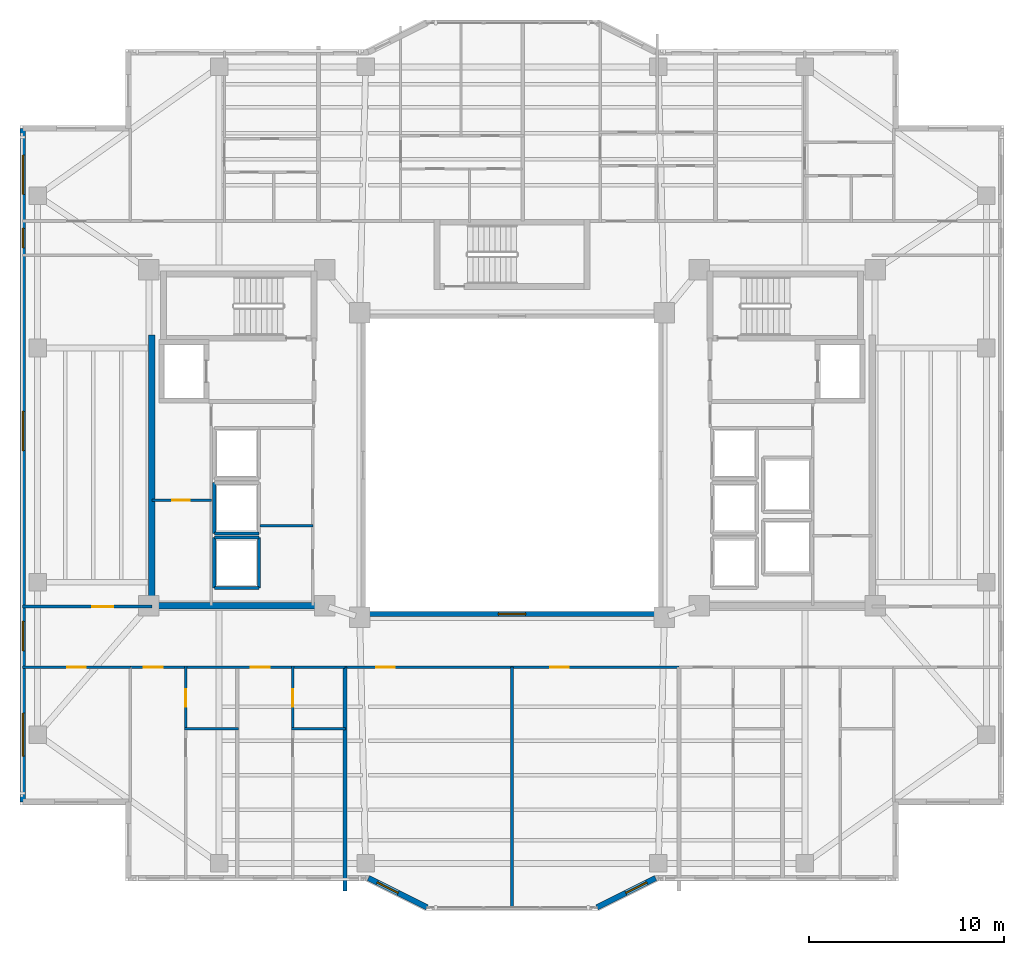
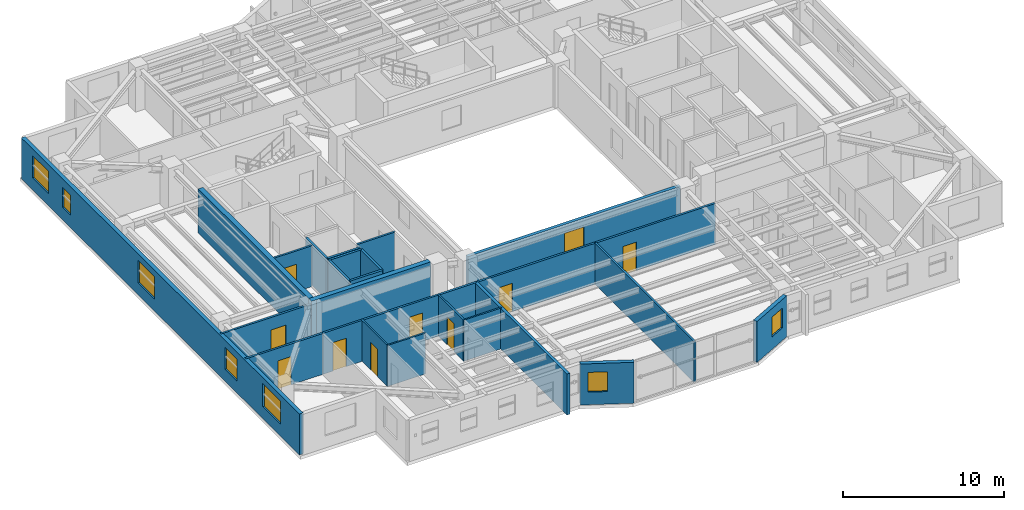
# One storey, part 6 of 16: 24 walls, 9 doors, 8 windows, 17 openings.
"""IFC4 building model written with IfcOpenShell, lengths in metres."""

from ifc_helpers import new_model, si_unit, direction, frame, frame_2d, origin, place, context, subcontext, project, spatial, rectangle, extrude, material, layer, layer_set, type_object, element, fill, save


model = new_model("IFC4")

# Units and contexts
model_context = context("Model", 3, precision=1e-05, world=origin(), true_north=direction((0.0, 1.0)))
body_context = subcontext(model_context, "Body", "Model", "MODEL_VIEW")
ifc_project = project(units=[si_unit("LENGTHUNIT", "METRE"), si_unit("AREAUNIT", "SQUARE_METRE"), si_unit("VOLUMEUNIT", "CUBIC_METRE"), si_unit("PLANEANGLEUNIT", "RADIAN"), si_unit("MASSUNIT", "GRAM", prefix="KILO")], contexts=[model_context])

# Site, building, storey
site_placement = place(None, origin())
site = spatial("IfcSite", under=ifc_project, at=site_placement, CompositionType="ELEMENT")
building_placement = place(site_placement, origin())
building = spatial("IfcBuilding", under=site, at=building_placement, Name="Tarnavaz Court Tower", CompositionType="ELEMENT")
storey_placement = place(building_placement, frame((0.0, 0.0, 156.050048828125)))
storey = spatial("IfcBuildingStorey", under=building, at=storey_placement, Name="L42", CompositionType="ELEMENT", Elevation=156.050048828125)

# Walls
ifc_material_1 = material(Name="Concrete C50/60", Category="concrete")
ifc_layer_1 = layer(ifc_material_1, 0.35009765625)
ifc_layer_set_1 = layer_set([ifc_layer_1], Name="Concrete C50/60")
wall_type_1 = type_object("IfcWallType", Name="WL-CORE-350-C50", PredefinedType="SHEAR", material=ifc_layer_set_1)
wall_1_placement = place(storey_placement, frame((-18.449951171875, -7.375, 0.0), z_axis=(0.0, 0.0, 1.0), x_axis=(0.0, 1.0, 0.0)))
element("IfcWall", 1, at=wall_1_placement, inside=storey, type_object=wall_type_1, Name="L42 West Core Shear Wall 057", PredefinedType="SHEAR", context=body_context, shape_type="SweptSolid", body=[
    extrude(rectangle(XDim=14.050048828125, YDim=0.35009765625, at=frame_2d((7.02490234375, 0.0))), origin(), (0.0, 0.0, 1.0), 3.349853515625),
])
wall_2_placement = place(storey_placement, frame((-18.625, -7.199951171875, 0.0), z_axis=(0.0, 0.0, 1.0), x_axis=(1.0, 0.0, 0.0)))
element("IfcWall", 2, at=wall_2_placement, inside=storey, type_object=wall_type_1, Name="L42 West Core South Shear Wall 058", PredefinedType="SHEAR", context=body_context, shape_type="SweptSolid", body=[
    extrude(rectangle(XDim=8.550048828125, YDim=0.35009765625, at=frame_2d((4.27490234375, 0.0))), origin(), (0.0, 0.0, 1.0), 3.349853515625),
])

# Wall, openings, windows
ifc_material_2 = material(Name="Precast Concrete C40/50", Category="concrete")
ifc_layer_2 = layer(ifc_material_2, 0.280029296875)
ifc_layer_set_2 = layer_set([ifc_layer_2], Name="Precast Concrete C40/50")
wall_type_2 = type_object("IfcWallType", Name="WL-EXT-280", PredefinedType="SOLIDWALL", material=ifc_layer_set_2)
wall_3_placement = place(storey_placement, frame((-25.050048828125, -17.25, 0.0), z_axis=(0.0, 0.0, 1.0), x_axis=(0.0, 1.0, 0.0)))
wall_3 = element("IfcWall", 3, at=wall_3_placement, inside=storey, type_object=wall_type_2, Name="L42 Exterior Terracotta Facade Wall 02", PredefinedType="SOLIDWALL", context=body_context, shape_type="SweptSolid", body=[
    extrude(rectangle(XDim=34.5, YDim=0.280029296875, at=frame_2d((17.25, 0.0))), origin(), (0.0, 0.0, 1.0), 3.099853515625),
])
opening_1_placement = place(wall_3_placement, frame((2.35009765625, 0.0, 0.89990234375)))
opening_1 = element("IfcOpeningElement", 4, at=opening_1_placement, cuts=wall_3, Name="Opening W07", PredefinedType="OPENING", context=body_context, shape_type="SweptSolid", body=[
    extrude(rectangle(XDim=2.199951171875, YDim=1.75, at=frame_2d((1.10009765625, 0.875))), frame((0.0, 0.14990234375, 0.0), z_axis=(0.0, -1.0, 0.0), x_axis=(1.0, 0.0, 0.0)), (0.0, 0.0, 1.0), 0.300048828125),
])
opening_2_placement = place(wall_3_placement, frame((7.742431640625, 0.0, 0.89990234375)))
opening_2 = element("IfcOpeningElement", 5, at=opening_2_placement, cuts=wall_3, Name="Opening W03", PredefinedType="OPENING", context=body_context, shape_type="SweptSolid", body=[
    extrude(rectangle(XDim=1.5, YDim=1.64990234375, at=frame_2d((0.75, 0.824951171875))), frame((0.0, 0.14990234375, 0.0), z_axis=(0.0, -1.0, 0.0), x_axis=(1.0, 0.0, 0.0)), (0.0, 0.0, 1.0), 0.300048828125),
])
opening_3_placement = place(wall_3_placement, frame((18.0, 0.0, 0.89990234375)))
opening_3 = element("IfcOpeningElement", 6, at=opening_3_placement, cuts=wall_3, Name="Opening W08", PredefinedType="OPENING", context=body_context, shape_type="SweptSolid", body=[
    extrude(rectangle(XDim=2.0, YDim=1.699951171875, at=frame_2d((1.0, 0.85009765625))), frame((0.0, 0.14990234375, 0.0), z_axis=(0.0, -1.0, 0.0), x_axis=(1.0, 0.0, 0.0)), (0.0, 0.0, 1.0), 0.300048828125),
])
opening_4_placement = place(wall_3_placement, frame((28.375, 0.0, 0.949951171875)))
opening_4 = element("IfcOpeningElement", 7, at=opening_4_placement, cuts=wall_3, Name="Opening W14", PredefinedType="OPENING", context=body_context, shape_type="SweptSolid", body=[
    extrude(rectangle(XDim=1.0, YDim=1.5, at=frame_2d((0.5, 0.75))), frame((0.0, 0.14990234375, 0.0), z_axis=(0.0, -1.0, 0.0), x_axis=(1.0, 0.0, 0.0)), (0.0, 0.0, 1.0), 0.300048828125),
])
opening_5_placement = place(wall_3_placement, frame((31.125, 0.0, 0.89990234375)))
opening_5 = element("IfcOpeningElement", 8, at=opening_5_placement, cuts=wall_3, Name="Opening W08", PredefinedType="OPENING", context=body_context, shape_type="SweptSolid", body=[
    extrude(rectangle(XDim=2.0, YDim=1.699951171875, at=frame_2d((1.0, 0.85009765625))), frame((0.0, 0.14990234375, 0.0), z_axis=(0.0, -1.0, 0.0), x_axis=(1.0, 0.0, 0.0)), (0.0, 0.0, 1.0), 0.300048828125),
])
ifc_material_3 = material(Name="Double-Glazed Solar Low-E Glass", Category="glass")
window_type_1 = type_object("IfcWindowType", Name="WN-APT-1000", PartitioningType="SINGLE_PANEL", PredefinedType="WINDOW", material=ifc_material_3)
window_1_placement = place(opening_4_placement, origin())
window_1 = element("IfcWindow", 9, at=window_1_placement, inside=storey, type_object=window_type_1, Name="L42 North-West Corner Corridor Window", OverallHeight=1.5, OverallWidth=1.0, PartitioningType="SINGLE_PANEL", PredefinedType="WINDOW", context=body_context, shape_type="SweptSolid", body=[
    extrude(rectangle(XDim=1.0, YDim=1.5, at=frame_2d((0.5, 0.75))), frame((0.0, 0.030029296875, 0.0), z_axis=(0.0, -1.0, 0.0), x_axis=(1.0, 0.0, 0.0)), (0.0, 0.0, 1.0), 0.06005859375),
])
fill(opening_4, window_1)
window_type_2 = type_object("IfcWindowType", Name="WN-APT-1500", PartitioningType="DOUBLE_PANEL_VERTICAL", PredefinedType="WINDOW", material=ifc_material_3)
window_2_placement = place(opening_2_placement, origin())
window_2 = element("IfcWindow", 10, at=window_2_placement, inside=storey, type_object=window_type_2, Name="L42 South-West Corner Corridor Window", OverallHeight=1.64990234375, OverallWidth=1.5, PartitioningType="SINGLE_PANEL", PredefinedType="WINDOW", context=body_context, shape_type="SweptSolid", body=[
    extrude(rectangle(XDim=1.5, YDim=1.64990234375, at=frame_2d((0.75, 0.824951171875))), frame((0.0, 0.030029296875, 0.0), z_axis=(0.0, -1.0, 0.0), x_axis=(1.0, 0.0, 0.0)), (0.0, 0.0, 1.0), 0.06005859375),
])
fill(opening_2, window_2)
window_type_3 = type_object("IfcWindowType", Name="WN-APT-2000", PartitioningType="DOUBLE_PANEL_VERTICAL", PredefinedType="WINDOW", material=ifc_material_3)
window_3_placement = place(opening_3_placement, origin())
window_3 = element("IfcWindow", 11, at=window_3_placement, inside=storey, type_object=window_type_3, Name="L42 West Wing Panoramic Study Gallery Window", OverallHeight=1.699951171875, OverallWidth=2.0, PartitioningType="SINGLE_PANEL", PredefinedType="WINDOW", context=body_context, shape_type="SweptSolid", body=[
    extrude(rectangle(XDim=2.0, YDim=1.699951171875, at=frame_2d((1.0, 0.85009765625))), frame((0.0, 0.030029296875, 0.0), z_axis=(0.0, -1.0, 0.0), x_axis=(1.0, 0.0, 0.0)), (0.0, 0.0, 1.0), 0.06005859375),
])
fill(opening_3, window_3)
window_4_placement = place(opening_5_placement, origin())
window_4 = element("IfcWindow", 12, at=window_4_placement, inside=storey, type_object=window_type_3, Name="L42 North-West Corner Sunroom Study Window", OverallHeight=1.699951171875, OverallWidth=2.0, PartitioningType="SINGLE_PANEL", PredefinedType="WINDOW", context=body_context, shape_type="SweptSolid", body=[
    extrude(rectangle(XDim=2.0, YDim=1.699951171875, at=frame_2d((1.0, 0.85009765625))), frame((0.0, 0.030029296875, 0.0), z_axis=(0.0, -1.0, 0.0), x_axis=(1.0, 0.0, 0.0)), (0.0, 0.0, 1.0), 0.06005859375),
])
fill(opening_5, window_4)
window_type_4 = type_object("IfcWindowType", Name="WN-APT-2200", PartitioningType="TRIPLE_PANEL_VERTICAL", PredefinedType="WINDOW", material=ifc_material_3)
window_5_placement = place(opening_1_placement, origin())
window_5 = element("IfcWindow", 13, at=window_5_placement, inside=storey, type_object=window_type_4, Name="L42 South-West Corner Reading Room Window", OverallHeight=1.75, OverallWidth=2.199951171875, PartitioningType="SINGLE_PANEL", PredefinedType="WINDOW", context=body_context, shape_type="SweptSolid", body=[
    extrude(rectangle(XDim=2.199951171875, YDim=1.75, at=frame_2d((1.10009765625, 0.875))), frame((0.0, 0.030029296875, 0.0), z_axis=(0.0, -1.0, 0.0), x_axis=(1.0, 0.0, 0.0)), (0.0, 0.0, 1.0), 0.06005859375),
])
fill(opening_1, window_5)

# Wall, opening, window
wall_4_placement = place(storey_placement, frame((7.35009765625, -21.14990234375, 0.0), z_axis=(0.0, 0.0, 1.0), x_axis=(-0.894427191, -0.4472135955, 0.0)))
wall_4 = element("IfcWall", 14, at=wall_4_placement, inside=storey, type_object=wall_type_2, Name="L42 Exterior Terracotta Facade Wall 16", PredefinedType="SOLIDWALL", context=body_context, shape_type="SweptSolid", body=[
    extrude(rectangle(XDim=3.35400390625, YDim=0.280029296875, at=frame_2d((1.677001953125, 0.0))), origin(), (0.0, 0.0, 1.0), 3.099853515625),
])
opening_6_placement = place(wall_4_placement, frame((0.501220703125, 0.0, 0.949951171875)))
opening_6 = element("IfcOpeningElement", 15, at=opening_6_placement, cuts=wall_4, Name="Opening W05", PredefinedType="OPENING", context=body_context, shape_type="SweptSolid", body=[
    extrude(rectangle(XDim=1.199951171875, YDim=1.5, at=frame_2d((0.60009765625, 0.75))), frame((0.0, 0.14990234375, 0.0), z_axis=(0.0, -1.0, 0.0), x_axis=(1.0, 0.0, 0.0)), (0.0, 0.0, 1.0), 0.300048828125),
])
window_type_5 = type_object("IfcWindowType", Name="WN-APT-1200", PartitioningType="SINGLE_PANEL", PredefinedType="WINDOW", material=ifc_material_3)
window_6_placement = place(opening_6_placement, origin())
window_6 = element("IfcWindow", 16, at=window_6_placement, inside=storey, type_object=window_type_5, Name="L42 South Courtyard Reading Room Window", OverallHeight=1.5, OverallWidth=1.199951171875, PartitioningType="SINGLE_PANEL", PredefinedType="WINDOW", context=body_context, shape_type="SweptSolid", body=[
    extrude(rectangle(XDim=1.199951171875, YDim=1.5, at=frame_2d((0.60009765625, 0.75))), frame((0.0, 0.030029296875, 0.0), z_axis=(0.0, -1.0, 0.0), x_axis=(1.0, 0.0, 0.0)), (0.0, 0.0, 1.0), 0.06005859375),
])
fill(opening_6, window_6)

wall_5_placement = place(storey_placement, frame((-4.35009765625, -22.64990234375, 0.0), z_axis=(0.0, 0.0, 1.0), x_axis=(-0.894427191, 0.4472135955, 0.0)))
wall_5 = element("IfcWall", 17, at=wall_5_placement, inside=storey, type_object=wall_type_2, Name="L42 Exterior Terracotta Facade Wall 18", PredefinedType="SOLIDWALL", context=body_context, shape_type="SweptSolid", body=[
    extrude(rectangle(XDim=3.35400390625, YDim=0.280029296875, at=frame_2d((1.677001953125, 0.0))), origin(), (0.0, 0.0, 1.0), 3.099853515625),
])
opening_7_placement = place(wall_5_placement, frame((1.65283203125, 0.0, 0.949951171875)))
opening_7 = element("IfcOpeningElement", 18, at=opening_7_placement, cuts=wall_5, Name="Opening W05", PredefinedType="OPENING", context=body_context, shape_type="SweptSolid", body=[
    extrude(rectangle(XDim=1.199951171875, YDim=1.5, at=frame_2d((0.60009765625, 0.75))), frame((0.0, 0.14990234375, 0.0), z_axis=(0.0, -1.0, 0.0), x_axis=(1.0, 0.0, 0.0)), (0.0, 0.0, 1.0), 0.300048828125),
])
window_7_placement = place(opening_7_placement, origin())
window_7 = element("IfcWindow", 19, at=window_7_placement, inside=storey, type_object=window_type_5, Name="L42 South Courtyard Majlis Lounge Window", OverallHeight=1.5, OverallWidth=1.199951171875, PartitioningType="SINGLE_PANEL", PredefinedType="WINDOW", context=body_context, shape_type="SweptSolid", body=[
    extrude(rectangle(XDim=1.199951171875, YDim=1.5, at=frame_2d((0.60009765625, 0.75))), frame((0.0, 0.030029296875, 0.0), z_axis=(0.0, -1.0, 0.0), x_axis=(1.0, 0.0, 0.0)), (0.0, 0.0, 1.0), 0.06005859375),
])
fill(opening_7, window_7)

# Wall, openings, doors
ifc_material_4 = material(Name="Gypsum Fire-Board on Acoustic Metal Stud", Category="masonry")
ifc_layer_3 = layer(ifc_material_4, 0.14990234375)
ifc_layer_set_3 = layer_set([ifc_layer_3], Name="Gypsum Fire-Board on Acoustic Metal Stud")
wall_type_3 = type_object("IfcWallType", Name="WL-FIRE-150", PredefinedType="PARTITIONING", material=ifc_layer_set_3)
wall_6_placement = place(storey_placement, frame((-19.550048828125, -10.35009765625, 0.0), z_axis=(0.0, 0.0, 1.0), x_axis=(1.0, 0.0, 0.0)))
wall_6 = element("IfcWall", 20, at=wall_6_placement, inside=storey, type_object=wall_type_3, Name="L42 SW Horseshoe Wall 073", PredefinedType="PARTITIONING", context=body_context, shape_type="SweptSolid", body=[
    extrude(rectangle(XDim=11.0, YDim=0.14990234375, at=frame_2d((5.5, 0.0))), origin(), (0.0, 0.0, 1.0), 3.099853515625),
])
opening_8_placement = place(wall_6_placement, frame((0.699951171875, 0.0, 0.0)))
opening_8 = element("IfcOpeningElement", 21, at=opening_8_placement, cuts=wall_6, Name="Opening D06", PredefinedType="OPENING", context=body_context, shape_type="SweptSolid", body=[
    extrude(rectangle(XDim=0.9599609375, YDim=2.14990234375, at=frame_2d((0.47998046875, 1.074951171875))), frame((0.0, 0.0849609375, 0.0), z_axis=(0.0, -1.0, 0.0), x_axis=(1.0, 0.0, 0.0)), (0.0, 0.0, 1.0), 0.169921875),
])
opening_9_placement = place(wall_6_placement, frame((6.175048828125, 0.0, 0.0)))
opening_9 = element("IfcOpeningElement", 22, at=opening_9_placement, cuts=wall_6, Name="Opening D06", PredefinedType="OPENING", context=body_context, shape_type="SweptSolid", body=[
    extrude(rectangle(XDim=0.9599609375, YDim=2.14990234375, at=frame_2d((0.47998046875, 1.074951171875))), frame((0.0, 0.0849609375, 0.0), z_axis=(0.0, -1.0, 0.0), x_axis=(1.0, 0.0, 0.0)), (0.0, 0.0, 1.0), 0.169921875),
])
ifc_material_5 = material(Name="Fire-Rated Hardwood Timber Core", Category="wood")
door_type_1 = type_object("IfcDoorType", Name="DR-FD60-950", OperationType="NOTDEFINED", PredefinedType="DOOR", material=ifc_material_5)
door_1_placement = place(opening_8_placement, origin())
door_1 = element("IfcDoor", 23, at=door_1_placement, inside=storey, type_object=door_type_1, Name="L42 Flat 05 Entrance Door", OperationType="SINGLE_SWING_LEFT", OverallHeight=2.14990234375, OverallWidth=0.9599609375, PredefinedType="DOOR", context=body_context, shape_type="SweptSolid", body=[
    extrude(rectangle(XDim=0.9599609375, YDim=2.14990234375, at=frame_2d((0.47998046875, 1.074951171875))), frame((0.0, 0.02490234375, 0.0), z_axis=(0.0, -1.0, 0.0), x_axis=(1.0, 0.0, 0.0)), (0.0, 0.0, 1.0), 0.050048828125),
])
fill(opening_8, door_1)
door_2_placement = place(opening_9_placement, origin())
door_2 = element("IfcDoor", 24, at=door_2_placement, inside=storey, type_object=door_type_1, Name="L42 Flat 06 Entrance Door", OperationType="SINGLE_SWING_RIGHT", OverallHeight=2.14990234375, OverallWidth=0.9599609375, PredefinedType="DOOR", context=body_context, shape_type="SweptSolid", body=[
    extrude(rectangle(XDim=0.9599609375, YDim=2.14990234375, at=frame_2d((0.47998046875, 1.074951171875))), frame((0.0, 0.02490234375, 0.0), z_axis=(0.0, -1.0, 0.0), x_axis=(1.0, 0.0, 0.0)), (0.0, 0.0, 1.0), 0.050048828125),
])
fill(opening_9, door_2)

wall_7_placement = place(storey_placement, frame((-8.550048828125, -10.35009765625, 0.0), z_axis=(0.0, 0.0, 1.0), x_axis=(1.0, 0.0, 0.0)))
wall_7 = element("IfcWall", 25, at=wall_7_placement, inside=storey, type_object=wall_type_3, Name="L42 Interior Partition 116", PredefinedType="PARTITIONING", context=body_context, shape_type="SweptSolid", body=[
    extrude(rectangle(XDim=17.10009765625, YDim=0.14990234375, at=frame_2d((8.550048828125, 0.0))), origin(), (0.0, 0.0, 1.0), 3.099853515625),
])
opening_10_placement = place(wall_7_placement, frame((1.60009765625, 0.0, 0.0)))
opening_10 = element("IfcOpeningElement", 26, at=opening_10_placement, cuts=wall_7, Name="Opening D13", PredefinedType="OPENING", context=body_context, shape_type="SweptSolid", body=[
    extrude(rectangle(XDim=0.949951171875, YDim=2.14990234375, at=frame_2d((0.47509765625, 1.074951171875))), frame((0.0, 0.0849609375, 0.0), z_axis=(0.0, -1.0, 0.0), x_axis=(1.0, 0.0, 0.0)), (0.0, 0.0, 1.0), 0.169921875),
])
opening_11_placement = place(wall_7_placement, frame((10.5, 0.0, 0.0)))
opening_11 = element("IfcOpeningElement", 27, at=opening_11_placement, cuts=wall_7, Name="Opening D13", PredefinedType="OPENING", context=body_context, shape_type="SweptSolid", body=[
    extrude(rectangle(XDim=0.949951171875, YDim=2.14990234375, at=frame_2d((0.47509765625, 1.074951171875))), frame((0.0, 0.0849609375, 0.0), z_axis=(0.0, -1.0, 0.0), x_axis=(1.0, 0.0, 0.0)), (0.0, 0.0, 1.0), 0.169921875),
])
ifc_material_6 = material(Name="Engineered Oak Timber", Category="wood")
door_type_2 = type_object("IfcDoorType", Name="DR-INT-950", OperationType="NOTDEFINED", PredefinedType="DOOR", material=ifc_material_6)
door_3_placement = place(opening_10_placement, origin())
door_3 = element("IfcDoor", 28, at=door_3_placement, inside=storey, type_object=door_type_2, Name="L42 South Majlis Lounge Door", OperationType="SINGLE_SWING_LEFT", OverallHeight=2.14990234375, OverallWidth=0.949951171875, PredefinedType="DOOR", context=body_context, shape_type="SweptSolid", body=[
    extrude(rectangle(XDim=0.949951171875, YDim=2.14990234375, at=frame_2d((0.47509765625, 1.074951171875))), frame((0.0, 0.02490234375, 0.0), z_axis=(0.0, -1.0, 0.0), x_axis=(1.0, 0.0, 0.0)), (0.0, 0.0, 1.0), 0.050048828125),
])
fill(opening_10, door_3)
door_4_placement = place(opening_11_placement, origin())
door_4 = element("IfcDoor", 29, at=door_4_placement, inside=storey, type_object=door_type_2, Name="L42 South Reading Room Door", OperationType="SINGLE_SWING_RIGHT", OverallHeight=2.14990234375, OverallWidth=0.949951171875, PredefinedType="DOOR", context=body_context, shape_type="SweptSolid", body=[
    extrude(rectangle(XDim=0.949951171875, YDim=2.14990234375, at=frame_2d((0.47509765625, 1.074951171875))), frame((0.0, 0.02490234375, 0.0), z_axis=(0.0, -1.0, 0.0), x_axis=(1.0, 0.0, 0.0)), (0.0, 0.0, 1.0), 0.050048828125),
])
fill(opening_11, door_4)

# Wall, opening, door
wall_8_placement = place(storey_placement, frame((-25.080078125, -7.25, 0.0), z_axis=(0.0, 0.0, 1.0), x_axis=(1.0, 0.0, 0.0)))
wall_8 = element("IfcWall", 30, at=wall_8_placement, inside=storey, type_object=wall_type_3, Name="L42 Interior Partition 118", PredefinedType="PARTITIONING", context=body_context, shape_type="SweptSolid", body=[
    extrude(rectangle(XDim=6.630126953125, YDim=0.14990234375, at=frame_2d((3.31494140625, 0.0))), origin(), (0.0, 0.0, 1.0), 3.099853515625),
])
opening_12_placement = place(wall_8_placement, frame((3.580078125, 0.0, 0.0)))
opening_12 = element("IfcOpeningElement", 31, at=opening_12_placement, cuts=wall_8, Name="Opening D12", PredefinedType="OPENING", context=body_context, shape_type="SweptSolid", body=[
    extrude(rectangle(XDim=1.080078125, YDim=2.14990234375, at=frame_2d((0.5400390625, 1.074951171875))), frame((0.0, 0.0849609375, 0.0), z_axis=(0.0, -1.0, 0.0), x_axis=(1.0, 0.0, 0.0)), (0.0, 0.0, 1.0), 0.169921875),
])
door_type_3 = type_object("IfcDoorType", Name="DR-INT-1100", OperationType="NOTDEFINED", PredefinedType="DOOR", material=ifc_material_6)
door_5_placement = place(opening_12_placement, origin())
door_5 = element("IfcDoor", 32, at=door_5_placement, inside=storey, type_object=door_type_3, Name="L42 West Study Gallery Door", OperationType="SINGLE_SWING_LEFT", OverallHeight=2.14990234375, OverallWidth=1.080078125, PredefinedType="DOOR", context=body_context, shape_type="SweptSolid", body=[
    extrude(rectangle(XDim=1.080078125, YDim=2.14990234375, at=frame_2d((0.5400390625, 1.074951171875))), frame((0.0, 0.02490234375, 0.0), z_axis=(0.0, -1.0, 0.0), x_axis=(1.0, 0.0, 0.0)), (0.0, 0.0, 1.0), 0.050048828125),
])
fill(opening_12, door_5)

wall_9_placement = place(storey_placement, frame((-25.080078125, -10.35009765625, 0.0), z_axis=(0.0, 0.0, 1.0), x_axis=(1.0, 0.0, 0.0)))
wall_9 = element("IfcWall", 33, at=wall_9_placement, inside=storey, type_object=wall_type_3, Name="L42 Interior Partition 128", PredefinedType="PARTITIONING", context=body_context, shape_type="SweptSolid", body=[
    extrude(rectangle(XDim=5.530029296875, YDim=0.14990234375, at=frame_2d((2.76513671875, 0.0))), origin(), (0.0, 0.0, 1.0), 3.099853515625),
])
opening_13_placement = place(wall_9_placement, frame((2.2900390625, 0.0, 0.0)))
opening_13 = element("IfcOpeningElement", 34, at=opening_13_placement, cuts=wall_9, Name="Opening D13", PredefinedType="OPENING", context=body_context, shape_type="SweptSolid", body=[
    extrude(rectangle(XDim=0.949951171875, YDim=2.14990234375, at=frame_2d((0.47509765625, 1.074951171875))), frame((0.0, 0.0849609375, 0.0), z_axis=(0.0, -1.0, 0.0), x_axis=(1.0, 0.0, 0.0)), (0.0, 0.0, 1.0), 0.169921875),
])
door_6_placement = place(opening_13_placement, origin())
door_6 = element("IfcDoor", 35, at=door_6_placement, inside=storey, type_object=door_type_2, Name="L42 SW Reading Room Door", OperationType="SINGLE_SWING_LEFT", OverallHeight=2.14990234375, OverallWidth=0.949951171875, PredefinedType="DOOR", context=body_context, shape_type="SweptSolid", body=[
    extrude(rectangle(XDim=0.949951171875, YDim=2.14990234375, at=frame_2d((0.47509765625, 1.074951171875))), frame((0.0, 0.02490234375, 0.0), z_axis=(0.0, -1.0, 0.0), x_axis=(1.0, 0.0, 0.0)), (0.0, 0.0, 1.0), 0.050048828125),
])
fill(opening_13, door_6)

# Wall
ifc_material_7 = material(Name="Autoclaved Aerated Concrete Blockwork", Category="masonry")
ifc_layer_4 = layer(ifc_material_7, 0.199951171875)
ifc_layer_set_4 = layer_set([ifc_layer_4], Name="Autoclaved Aerated Concrete Blockwork")
wall_type_4 = type_object("IfcWallType", Name="WL-FIRE-200", PredefinedType="SOLIDWALL", material=ifc_layer_set_4)
wall_10_placement = place(storey_placement, frame((-8.550048828125, -21.803955078125, 0.0), z_axis=(0.0, 0.0, 1.0), x_axis=(0.0, 1.0, 0.0)))
element("IfcWall", 36, at=wall_10_placement, inside=storey, type_object=wall_type_4, Name="L42 Party Wall 114", PredefinedType="SOLIDWALL", context=body_context, shape_type="SweptSolid", body=[
    extrude(rectangle(XDim=11.453857421875, YDim=0.199951171875, at=frame_2d((5.72705078125, 0.0))), origin(), (0.0, 0.0, 1.0), 3.099853515625),
])

# Wall, opening, door
ifc_material_8 = material(Name="Moisture-Resistant Gypsum Board Partition", Category="masonry")
ifc_layer_5 = layer(ifc_material_8, 0.1201171875)
ifc_layer_set_5 = layer_set([ifc_layer_5], Name="Moisture-Resistant Gypsum Board Partition")
wall_type_5 = type_object("IfcWallType", Name="WL-PART-120", PredefinedType="PARTITIONING", material=ifc_layer_set_5)
wall_11_placement = place(storey_placement, frame((-16.705078125, -13.510009765625, 0.0), z_axis=(0.0, 0.0, 1.0), x_axis=(0.0, 1.0, 0.0)))
wall_11 = element("IfcWall", 37, at=wall_11_placement, inside=storey, type_object=wall_type_5, Name="L42 Interior Partition 102", PredefinedType="PARTITIONING", context=body_context, shape_type="SweptSolid", body=[
    extrude(rectangle(XDim=3.219970703125, YDim=0.1201171875, at=frame_2d((1.60986328125, 0.0))), origin(), (0.0, 0.0, 1.0), 3.099853515625),
])
opening_14_placement = place(wall_11_placement, frame((1.139892578125, 0.0, 0.0)))
opening_14 = element("IfcOpeningElement", 38, at=opening_14_placement, cuts=wall_11, Name="Opening D14", PredefinedType="OPENING", context=body_context, shape_type="SweptSolid", body=[
    extrude(rectangle(XDim=0.8798828125, YDim=2.10009765625, at=frame_2d((0.43994140625, 1.050048828125))), frame((0.0, 0.070068359375, 0.0), z_axis=(0.0, -1.0, 0.0), x_axis=(1.0, 0.0, 0.0)), (0.0, 0.0, 1.0), 0.14013671875),
])
door_type_4 = type_object("IfcDoorType", Name="DR-INT-900", OperationType="NOTDEFINED", PredefinedType="DOOR", material=ifc_material_6)
door_7_placement = place(opening_14_placement, origin())
door_7 = element("IfcDoor", 39, at=door_7_placement, inside=storey, type_object=door_type_4, Name="L42 Flat 05 Bathroom Door", OperationType="SINGLE_SWING_LEFT", OverallHeight=2.10009765625, OverallWidth=0.8798828125, PredefinedType="DOOR", context=body_context, shape_type="SweptSolid", body=[
    extrude(rectangle(XDim=0.8798828125, YDim=2.10009765625, at=frame_2d((0.43994140625, 1.050048828125))), frame((0.0, 0.02490234375, 0.0), z_axis=(0.0, -1.0, 0.0), x_axis=(1.0, 0.0, 0.0)), (0.0, 0.0, 1.0), 0.050048828125),
])
fill(opening_14, door_7)

# Wall
wall_12_placement = place(storey_placement, frame((-16.764892578125, -13.510009765625, 0.0), z_axis=(0.0, 0.0, 1.0), x_axis=(1.0, 0.0, 0.0)))
element("IfcWall", 40, at=wall_12_placement, inside=storey, type_object=wall_type_5, Name="L42 Interior Partition 103", PredefinedType="PARTITIONING", context=body_context, shape_type="SweptSolid", body=[
    extrude(rectangle(XDim=2.75, YDim=0.1201171875, at=frame_2d((1.375, 0.0))), origin(), (0.0, 0.0, 1.0), 3.099853515625),
])

# Wall, opening, door
wall_13_placement = place(storey_placement, frame((-11.22998046875, -13.510009765625, 0.0), z_axis=(0.0, 0.0, 1.0), x_axis=(0.0, 1.0, 0.0)))
wall_13 = element("IfcWall", 41, at=wall_13_placement, inside=storey, type_object=wall_type_5, Name="L42 Interior Partition 105", PredefinedType="PARTITIONING", context=body_context, shape_type="SweptSolid", body=[
    extrude(rectangle(XDim=3.219970703125, YDim=0.1201171875, at=frame_2d((1.60986328125, 0.0))), origin(), (0.0, 0.0, 1.0), 3.099853515625),
])
opening_15_placement = place(wall_13_placement, frame((1.139892578125, 0.0, 0.0)))
opening_15 = element("IfcOpeningElement", 42, at=opening_15_placement, cuts=wall_13, Name="Opening D14", PredefinedType="OPENING", context=body_context, shape_type="SweptSolid", body=[
    extrude(rectangle(XDim=0.8798828125, YDim=2.10009765625, at=frame_2d((0.43994140625, 1.050048828125))), frame((0.0, 0.070068359375, 0.0), z_axis=(0.0, -1.0, 0.0), x_axis=(1.0, 0.0, 0.0)), (0.0, 0.0, 1.0), 0.14013671875),
])
door_8_placement = place(opening_15_placement, origin())
door_8 = element("IfcDoor", 43, at=door_8_placement, inside=storey, type_object=door_type_4, Name="L42 Flat 06 Bathroom Door", OperationType="SINGLE_SWING_RIGHT", OverallHeight=2.10009765625, OverallWidth=0.8798828125, PredefinedType="DOOR", context=body_context, shape_type="SweptSolid", body=[
    extrude(rectangle(XDim=0.8798828125, YDim=2.10009765625, at=frame_2d((0.43994140625, 1.050048828125))), frame((0.0, 0.02490234375, 0.0), z_axis=(0.0, -1.0, 0.0), x_axis=(1.0, 0.0, 0.0)), (0.0, 0.0, 1.0), 0.050048828125),
])
fill(opening_15, door_8)

# Wall
wall_14_placement = place(storey_placement, frame((-11.2900390625, -13.510009765625, 0.0), z_axis=(0.0, 0.0, 1.0), x_axis=(1.0, 0.0, 0.0)))
element("IfcWall", 44, at=wall_14_placement, inside=storey, type_object=wall_type_5, Name="L42 Interior Partition 106", PredefinedType="PARTITIONING", context=body_context, shape_type="SweptSolid", body=[
    extrude(rectangle(XDim=2.75, YDim=0.1201171875, at=frame_2d((1.375, 0.0))), origin(), (0.0, 0.0, 1.0), 3.099853515625),
])

# Wall, opening, door
ifc_material_9 = material(Name="Gypsum Plasterboard Acoustic Partition", Category="masonry")
ifc_layer_6 = layer(ifc_material_9, 0.139892578125)
ifc_layer_set_6 = layer_set([ifc_layer_6], Name="Gypsum Plasterboard Acoustic Partition")
wall_type_6 = type_object("IfcWallType", Name="WL-PART-150", PredefinedType="PARTITIONING", material=ifc_layer_set_6)
wall_15_placement = place(storey_placement, frame((-18.449951171875, -1.800048828125, 0.0), z_axis=(0.0, 0.0, 1.0), x_axis=(1.0, 0.0, 0.0)))
wall_15 = element("IfcWall", 45, at=wall_15_placement, inside=storey, type_object=wall_type_6, Name="L42 Interior Partition 064", PredefinedType="PARTITIONING", context=body_context, shape_type="SweptSolid", body=[
    extrude(rectangle(XDim=3.050048828125, YDim=0.139892578125, at=frame_2d((1.52490234375, 0.0))), origin(), (0.0, 0.0, 1.0), 3.099853515625),
])
opening_16_placement = place(wall_15_placement, frame((1.050048828125, 0.0, 0.0)))
opening_16 = element("IfcOpeningElement", 46, at=opening_16_placement, cuts=wall_15, Name="Opening D09", PredefinedType="OPENING", context=body_context, shape_type="SweptSolid", body=[
    extrude(rectangle(XDim=0.89990234375, YDim=2.080078125, at=frame_2d((0.449951171875, 1.0400390625))), frame((0.0, 0.079833984375, 0.0), z_axis=(0.0, -1.0, 0.0), x_axis=(1.0, 0.0, 0.0)), (0.0, 0.0, 1.0), 0.159912109375),
])
door_type_5 = type_object("IfcDoorType", Name="DR-FD30-900", OperationType="NOTDEFINED", PredefinedType="DOOR", material=ifc_material_5)
door_9_placement = place(opening_16_placement, origin())
door_9 = element("IfcDoor", 47, at=door_9_placement, inside=storey, type_object=door_type_5, Name="L42 West Electrical Room Door", OperationType="SINGLE_SWING_LEFT", OverallHeight=2.080078125, OverallWidth=0.89990234375, PredefinedType="DOOR", context=body_context, shape_type="SweptSolid", body=[
    extrude(rectangle(XDim=0.89990234375, YDim=2.080078125, at=frame_2d((0.449951171875, 1.0400390625))), frame((0.0, 0.02490234375, 0.0), z_axis=(0.0, -1.0, 0.0), x_axis=(1.0, 0.0, 0.0)), (0.0, 0.0, 1.0), 0.050048828125),
])
fill(opening_16, door_9)

# Walls
wall_16_placement = place(storey_placement, frame((-12.89990234375, -3.10009765625, 0.0), z_axis=(0.0, 0.0, 1.0), x_axis=(1.0, 0.0, 0.0)))
element("IfcWall", 48, at=wall_16_placement, inside=storey, type_object=wall_type_6, Name="L42 Interior Partition 066", PredefinedType="PARTITIONING", context=body_context, shape_type="SweptSolid", body=[
    extrude(rectangle(XDim=2.699951171875, YDim=0.139892578125, at=frame_2d((1.35009765625, 0.0))), origin(), (0.0, 0.0, 1.0), 3.099853515625),
])
wall_17_placement = place(storey_placement, frame((0.0, -22.679931640625, 0.0), z_axis=(0.0, 0.0, 1.0), x_axis=(0.0, 1.0, 0.0)))
element("IfcWall", 49, at=wall_17_placement, inside=storey, type_object=wall_type_6, Name="L42 Interior Partition 117", PredefinedType="PARTITIONING", context=body_context, shape_type="SweptSolid", body=[
    extrude(rectangle(XDim=12.329833984375, YDim=0.139892578125, at=frame_2d((6.1650390625, 0.0))), origin(), (0.0, 0.0, 1.0), 3.099853515625),
])
ifc_layer_7 = layer(ifc_material_7, 0.159912109375)
ifc_layer_set_7 = layer_set([ifc_layer_7], Name="Autoclaved Aerated Concrete Blockwork")
wall_type_7 = type_object("IfcWallType", Name="WL-SHAFT-150", PredefinedType="SOLIDWALL", material=ifc_layer_set_7)
for number, where, z_axis, x_axis, name in (
    (50, (-15.25, -6.300048828125, 0.0), (0.0, 0.0, 1.0), (0.0, 1.0, 0.0), "L42 Lift PL-H1 Shaft Wall 021"),
    (51, (-12.949951171875, -6.300048828125, 0.0), (0.0, 0.0, 1.0), (0.0, 1.0, 0.0), "L42 Lift PL-H1 Shaft Wall 022"),
):
    element("IfcWall", number, at=place(storey_placement, frame(where, z_axis=z_axis, x_axis=x_axis)), inside=storey, type_object=wall_type_7, Name=name, PredefinedType="SOLIDWALL", context=body_context, shape_type="SweptSolid", body=[
        extrude(rectangle(XDim=2.60009765625, YDim=0.159912109375, at=frame_2d((1.300048828125, 0.0))), origin(), (0.0, 0.0, 1.0), 3.099853515625),
    ])
for number, where, z_axis, x_axis, name in (
    (52, (-15.25, -6.300048828125, 0.0), (0.0, 0.0, 1.0), (1.0, 0.0, 0.0), "L42 Lift PL-H1 Shaft Wall 023"),
    (53, (-15.25, -3.699951171875, 0.0), (0.0, 0.0, 1.0), (1.0, 0.0, 0.0), "L42 Lift PL-H1 Shaft Wall 024"),
):
    element("IfcWall", number, at=place(storey_placement, frame(where, z_axis=z_axis, x_axis=x_axis)), inside=storey, type_object=wall_type_7, Name=name, PredefinedType="SOLIDWALL", context=body_context, shape_type="SweptSolid", body=[
        extrude(rectangle(XDim=2.300048828125, YDim=0.159912109375, at=frame_2d((1.14990234375, 0.0))), origin(), (0.0, 0.0, 1.0), 3.099853515625),
    ])
wall_18_placement = place(storey_placement, frame((-15.25, -3.5, 0.0), z_axis=(0.0, 0.0, 1.0), x_axis=(0.0, 1.0, 0.0)))
element("IfcWall", 54, at=wall_18_placement, inside=storey, type_object=wall_type_7, Name="L42 Lift PL-H2 Shaft Wall 025", PredefinedType="SOLIDWALL", context=body_context, shape_type="SweptSolid", body=[
    extrude(rectangle(XDim=2.60009765625, YDim=0.159912109375, at=frame_2d((1.300048828125, 0.0))), origin(), (0.0, 0.0, 1.0), 3.099853515625),
])
wall_19_placement = place(storey_placement, frame((-15.25, -3.5, 0.0), z_axis=(0.0, 0.0, 1.0), x_axis=(1.0, 0.0, 0.0)))
element("IfcWall", 55, at=wall_19_placement, inside=storey, type_object=wall_type_7, Name="L42 Lift PL-H2 Shaft Wall 027", PredefinedType="SOLIDWALL", context=body_context, shape_type="SweptSolid", body=[
    extrude(rectangle(XDim=2.300048828125, YDim=0.159912109375, at=frame_2d((1.14990234375, 0.0))), origin(), (0.0, 0.0, 1.0), 3.099853515625),
])

# Wall, opening, window
ifc_layer_8 = layer(ifc_material_2, 0.239990234375)
ifc_layer_set_8 = layer_set([ifc_layer_8], Name="Precast Concrete C40/50")
wall_type_8 = type_object("IfcWallType", Name="WL-WELL-240", PredefinedType="SOLIDWALL", material=ifc_layer_set_8)
wall_20_placement = place(storey_placement, frame((-7.6201171875, -7.6201171875, 0.0), z_axis=(0.0, 0.0, 1.0), x_axis=(1.0, 0.0, 0.0)))
wall_20 = element("IfcWall", 56, at=wall_20_placement, inside=storey, type_object=wall_type_8, Name="L42 Badgir Light-Well Exterior Wall S", PredefinedType="SOLIDWALL", context=body_context, shape_type="SweptSolid", body=[
    extrude(rectangle(XDim=15.240234375, YDim=0.239990234375, at=frame_2d((7.6201171875, 0.0))), origin(), (0.0, 0.0, 1.0), 3.099853515625),
])
opening_17_placement = place(wall_20_placement, frame((6.919921875, 0.0, 0.949951171875)))
opening_17 = element("IfcOpeningElement", 57, at=opening_17_placement, cuts=wall_20, Name="Opening W13", PredefinedType="OPENING", context=body_context, shape_type="SweptSolid", body=[
    extrude(rectangle(XDim=1.39990234375, YDim=1.5, at=frame_2d((0.699951171875, 0.75))), frame((0.0, 0.1298828125, 0.0), z_axis=(0.0, -1.0, 0.0), x_axis=(1.0, 0.0, 0.0)), (0.0, 0.0, 1.0), 0.260009765625),
])
window_type_6 = type_object("IfcWindowType", Name="WN-WEL-1400", PartitioningType="SINGLE_PANEL", PredefinedType="WINDOW", material=ifc_material_3)
window_8_placement = place(opening_17_placement, origin())
window_8 = element("IfcWindow", 58, at=window_8_placement, inside=storey, type_object=window_type_6, Name="L42 Courtyard Gallery Window S", OverallHeight=1.5, OverallWidth=1.39990234375, PartitioningType="SINGLE_PANEL", PredefinedType="WINDOW", context=body_context, shape_type="SweptSolid", body=[
    extrude(rectangle(XDim=1.39990234375, YDim=1.5, at=frame_2d((0.699951171875, 0.75))), frame((0.0, 0.030029296875, 0.0), z_axis=(0.0, -1.0, 0.0), x_axis=(1.0, 0.0, 0.0)), (0.0, 0.0, 1.0), 0.06005859375),
])
fill(opening_17, window_8)

save(model, "model.ifc")
